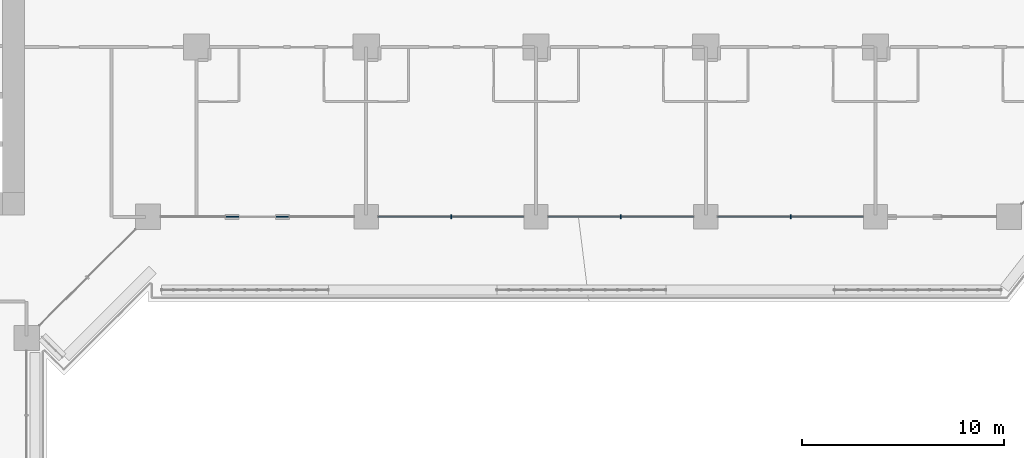
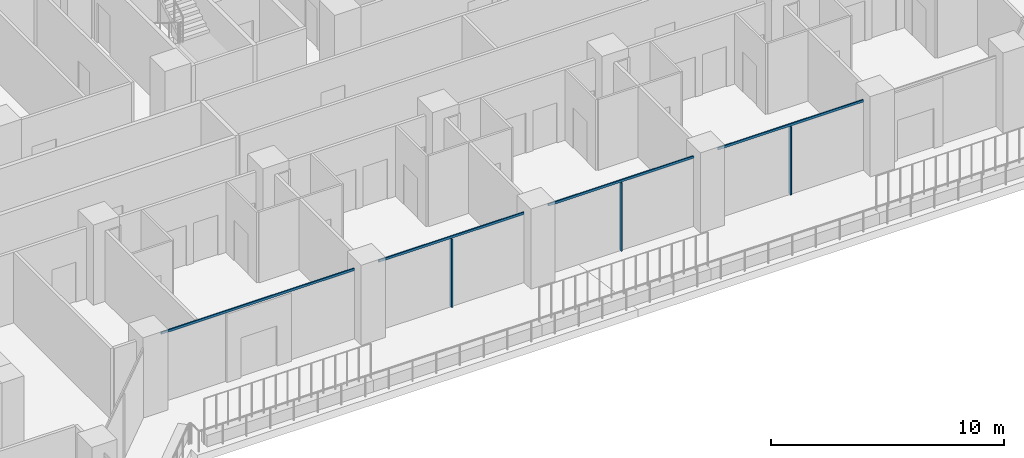
# One storey, part 5 of 28: 7 members, 1 element without a shape of its own.
"""IFC4 building model written with IfcOpenShell, lengths in metres."""

from ifc_helpers import new_model, si_unit, direction, frame, origin, origin_2d, place, context, subcontext, project, spatial, rectangle, extrude, material, layer, layer_set, material_profile, profile_set, type_object, element, aggregate, save


model = new_model("IFC4")

# Units and contexts
model_context = context("Model", 3, precision=1e-05, world=origin(), true_north=direction((0.0, 1.0)))
body_context = subcontext(model_context, "Body", "Model", "MODEL_VIEW")
ifc_project = project(units=[si_unit("LENGTHUNIT", "METRE"), si_unit("AREAUNIT", "SQUARE_METRE"), si_unit("VOLUMEUNIT", "CUBIC_METRE"), si_unit("PLANEANGLEUNIT", "RADIAN"), si_unit("MASSUNIT", "GRAM", prefix="KILO")], contexts=[model_context])

# Site, building, storey
site_placement = place(None, origin())
site = spatial("IfcSite", under=ifc_project, at=site_placement, CompositionType="ELEMENT")
building_placement = place(site_placement, origin())
building = spatial("IfcBuilding", under=site, at=building_placement, Name="Kawkab Arch Medical Tower", CompositionType="ELEMENT")
storey_placement = place(building_placement, frame((0.0, 0.0, 89.60009765625)))
storey = spatial("IfcBuildingStorey", under=building, at=storey_placement, Name="L20", CompositionType="ELEMENT", Elevation=89.60009765625)

# Curtain wall, members
ifc_material_1 = material(Name="Bronze anodised aluminium curtain wall frame", Category="aluminium")
ifc_layer = layer(ifc_material_1, 0.159912109375)
ifc_layer_set = layer_set([ifc_layer], Name="Bronze anodised aluminium curtain wall frame")
curtain_wall_type = type_object("IfcCurtainWallType", Name="CW1 ward curtain wall", PredefinedType="NOTDEFINED", material=ifc_layer_set)
curtain_wall_placement = place(storey_placement, origin())
curtain_wall = element("IfcCurtainWall", 1, at=curtain_wall_placement, inside=storey, type_object=curtain_wall_type, Name="CW1 Ward curtain wall R07", PredefinedType="NOTDEFINED")
ifc_material_2 = material(Name="Bronze anodised aluminium curtain wall frame", Category="aluminium")
ifc_material_profile_1 = material_profile(ifc_material_2, rectangle(XDim=0.179931640625, YDim=0.06005859375, at=origin_2d()), Name="AL 60x180")
ifc_profile_set_1 = profile_set([ifc_material_profile_1], Name="Bronze anodised aluminium curtain wall frame")
member_type_1 = type_object("IfcMemberType", Name="CW1 mullion 60 x 180", PredefinedType="MULLION", material=ifc_profile_set_1)
member_1_placement = place(storey_placement, frame((46.199951171875, -25.199951171875, 0.0), z_axis=(0.0, 0.0, 1.0), x_axis=(0.0, 1.0, 0.0)))
member_1 = element("IfcMember", 2, at=member_1_placement, type_object=member_type_1, Name="CW1 mullion 2.1", PredefinedType="MULLION", context=body_context, shape_type="SweptSolid", body=[
    extrude(rectangle(XDim=0.179931640625, YDim=0.06005859375, at=origin_2d()), origin(), (0.0, 0.0, 1.0), 3.579833984375),
])
member_2_placement = place(storey_placement, frame((54.60009765625, -25.199951171875, 0.0), z_axis=(0.0, 0.0, 1.0), x_axis=(0.0, 1.0, 0.0)))
member_2 = element("IfcMember", 3, at=member_2_placement, type_object=member_type_1, Name="CW1 mullion 3.1", PredefinedType="MULLION", context=body_context, shape_type="SweptSolid", body=[
    extrude(rectangle(XDim=0.179931640625, YDim=0.06005859375, at=origin_2d()), origin(), (0.0, 0.0, 1.0), 3.579833984375),
])
member_3_placement = place(storey_placement, frame((63.0, -25.199951171875, 0.0), z_axis=(0.0, 0.0, 1.0), x_axis=(0.0, 1.0, 0.0)))
member_3 = element("IfcMember", 4, at=member_3_placement, type_object=member_type_1, Name="CW1 mullion 4.1", PredefinedType="MULLION", context=body_context, shape_type="SweptSolid", body=[
    extrude(rectangle(XDim=0.179931640625, YDim=0.06005859375, at=origin_2d()), origin(), (0.0, 0.0, 1.0), 3.579833984375),
])
ifc_material_3 = material(Name="Bronze anodised aluminium curtain wall frame", Category="aluminium")
ifc_material_profile_2 = material_profile(ifc_material_3, rectangle(XDim=0.06005859375, YDim=0.1201171875, at=origin_2d()), Name="AL 60x120")
ifc_profile_set_2 = profile_set([ifc_material_profile_2], Name="Bronze anodised aluminium curtain wall frame")
member_type_2 = type_object("IfcMemberType", Name="CW1 transom 120 x 60", PredefinedType="USERDEFINED", material=ifc_profile_set_2)
member_4_placement = place(storey_placement, frame((31.824951171875, -25.199951171875, 3.639892578125), z_axis=(1.0, 0.0, 0.0), x_axis=(0.0, 1.0, 0.0)))
member_4 = element("IfcMember", 5, at=member_4_placement, type_object=member_type_2, Name="CW1 transom 1", ObjectType="TRANSOM", PredefinedType="USERDEFINED", context=body_context, shape_type="SweptSolid", body=[
    extrude(rectangle(XDim=0.06005859375, YDim=0.1201171875, at=origin_2d()), origin(), (0.0, 0.0, 1.0), 9.574951171875),
])
member_5_placement = place(storey_placement, frame((42.60009765625, -25.199951171875, 3.639892578125), z_axis=(1.0, 0.0, 0.0), x_axis=(0.0, 1.0, 0.0)))
member_5 = element("IfcMember", 6, at=member_5_placement, type_object=member_type_2, Name="CW1 transom 2", ObjectType="TRANSOM", PredefinedType="USERDEFINED", context=body_context, shape_type="SweptSolid", body=[
    extrude(rectangle(XDim=0.06005859375, YDim=0.1201171875, at=origin_2d()), origin(), (0.0, 0.0, 1.0), 7.199951171875),
])
member_6_placement = place(storey_placement, frame((51.0, -25.199951171875, 3.639892578125), z_axis=(1.0, 0.0, 0.0), x_axis=(0.0, 1.0, 0.0)))
member_6 = element("IfcMember", 7, at=member_6_placement, type_object=member_type_2, Name="CW1 transom 3", ObjectType="TRANSOM", PredefinedType="USERDEFINED", context=body_context, shape_type="SweptSolid", body=[
    extrude(rectangle(XDim=0.06005859375, YDim=0.1201171875, at=origin_2d()), origin(), (0.0, 0.0, 1.0), 7.199951171875),
])
member_7_placement = place(storey_placement, frame((59.39990234375, -25.199951171875, 3.639892578125), z_axis=(1.0, 0.0, 0.0), x_axis=(0.0, 1.0, 0.0)))
member_7 = element("IfcMember", 8, at=member_7_placement, type_object=member_type_2, Name="CW1 transom 4", ObjectType="TRANSOM", PredefinedType="USERDEFINED", context=body_context, shape_type="SweptSolid", body=[
    extrude(rectangle(XDim=0.06005859375, YDim=0.1201171875, at=origin_2d()), origin(), (0.0, 0.0, 1.0), 7.2001953125),
])
aggregate(curtain_wall, [member_4, member_5, member_1, member_6, member_2, member_7, member_3])

save(model, "model.ifc")
